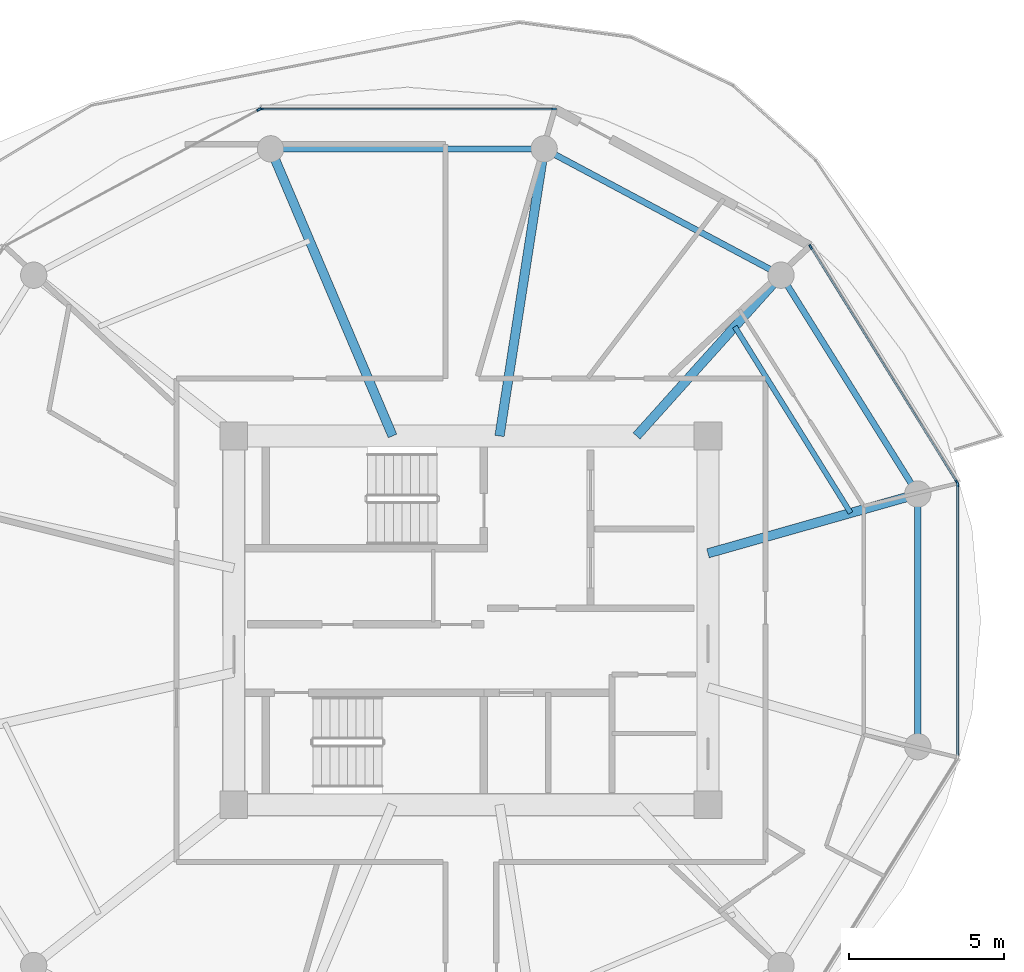
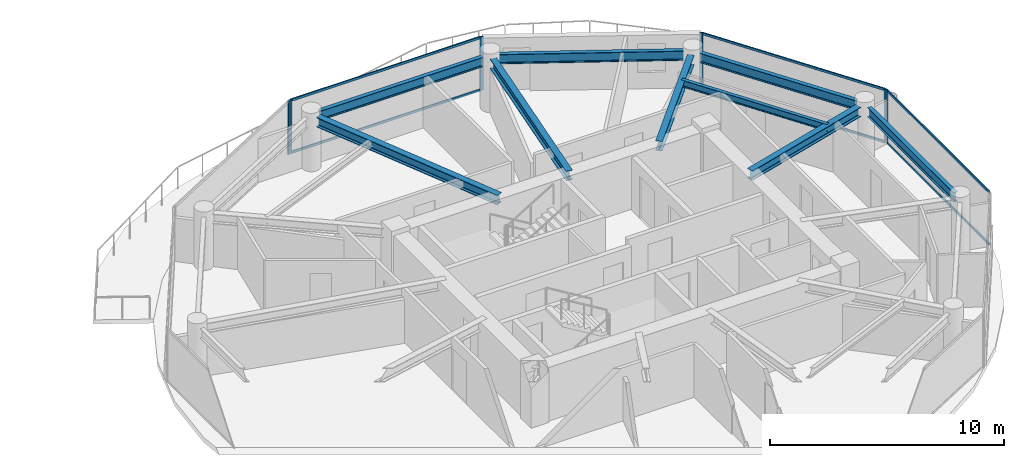
# One storey, part 11 of 24: 12 members, 9 beams, 4 elements without a shape of their own.
"""IFC4 building model written with IfcOpenShell, lengths in metres."""

from ifc_helpers import new_model, si_unit, direction, frame, origin, origin_2d, place, context, subcontext, project, spatial, rectangle, i_section, extrude, source, transform, mapped, material, layer, layer_set, material_profile, profile_set, type_object, type_shapes, element, aggregate, save


model = new_model("IFC4")

# Units and contexts
model_context = context("Model", 3, precision=1e-05, world=origin(), true_north=direction((0.0, 1.0)))
body_context = subcontext(model_context, "Body", "Model", "MODEL_VIEW")
ifc_project = project(units=[si_unit("LENGTHUNIT", "METRE"), si_unit("AREAUNIT", "SQUARE_METRE"), si_unit("VOLUMEUNIT", "CUBIC_METRE"), si_unit("PLANEANGLEUNIT", "RADIAN"), si_unit("MASSUNIT", "GRAM", prefix="KILO")], contexts=[model_context])

# Site, building, storey
site_placement = place(None, origin())
site = spatial("IfcSite", under=ifc_project, at=site_placement, CompositionType="ELEMENT")
building_placement = place(site_placement, origin())
building = spatial("IfcBuilding", under=site, at=building_placement, Name="Norrkilde Senior Care Towers", CompositionType="ELEMENT")
storey_placement = place(building_placement, frame((0.0, 0.0, 111.5)))
storey = spatial("IfcBuildingStorey", under=building, at=storey_placement, Name="L34", CompositionType="ELEMENT", Elevation=111.5)

# Beams
ifc_material_1 = material(Name="Steel S355", Category="steel")
ifc_material_profile_1 = material_profile(ifc_material_1, i_section(OverallWidth=0.199951171875, OverallDepth=0.5, WebThickness=0.01025390625, FlangeThickness=0.01611328125, FilletRadius=0.02099609375, at=origin_2d()), Name="IPE 500")
ifc_profile_set_1 = profile_set([ifc_material_profile_1], Name="Steel S355")
beam_type_1 = type_object("IfcBeamType", Name="Perimeter Ring Spandrel Z2 IPE500", PredefinedType="SPANDREL", material=ifc_profile_set_1)
shared_shape_1 = source(origin(), body_context, "Body", "SweptSolid", [
    extrude(i_section(OverallWidth=0.199951171875, OverallDepth=0.5, WebThickness=0.01025390625, FlangeThickness=0.01611328125, FilletRadius=0.02099609375, at=origin_2d()), origin(), (0.0, 0.0, 1.0), 7.892333984375),
])
beam_1_placement = place(storey_placement, frame((37.66650390625, 11.318115234375, 2.5400390625), z_axis=(-0.882350372282, 0.47059305194, 0.0), x_axis=(-0.47059305194, -0.882350372282, 0.0)))
element("IfcBeam", 1, at=beam_1_placement, inside=storey, type_object=beam_type_1, Name="L34 Drum E Perimeter Spandrel 02", PredefinedType="SPANDREL", context=body_context, shape_type="MappedRepresentation", body=[
    mapped(shared_shape_1, transform((0.0, 0.0, 0.0), x_axis=(1.0, 0.0, 0.0), y_axis=(0.0, 1.0, 0.0), z_axis=(0.0, 0.0, 1.0), scale=1.0)),
])
shared_shape_2 = source(origin(), body_context, "Body", "SweptSolid", [
    extrude(i_section(OverallWidth=0.199951171875, OverallDepth=0.5, WebThickness=0.01025390625, FlangeThickness=0.01611328125, FilletRadius=0.02099609375, at=origin_2d()), origin(), (0.0, 0.0, 1.0), 8.0556640625),
])
beam_2_placement = place(storey_placement, frame((29.977783203125, 15.21337890625, 2.5400390625), z_axis=(-1.0, 0.0, 0.0), x_axis=(0.0, -1.0, 0.0)))
element("IfcBeam", 2, at=beam_2_placement, inside=storey, type_object=beam_type_1, Name="L34 Drum E Perimeter Spandrel 03", PredefinedType="SPANDREL", context=body_context, shape_type="MappedRepresentation", body=[
    mapped(shared_shape_2, transform((0.0, 0.0, 0.0), x_axis=(1.0, 0.0, 0.0), y_axis=(0.0, 1.0, 0.0), z_axis=(0.0, 0.0, 1.0), scale=1.0)),
])
ifc_material_profile_2 = material_profile(ifc_material_1, i_section(OverallWidth=0.300048828125, OverallDepth=0.5, WebThickness=0.014404296875, FlangeThickness=0.028076171875, FilletRadius=0.027099609375, at=origin_2d()), Name="HEB 500")
ifc_profile_set_2 = profile_set([ifc_material_profile_2], Name="Steel S355")
beam_type_2 = type_object("IfcBeamType", Name="Radial Floor Beam Z2 HEB500", PredefinedType="BEAM", material=ifc_profile_set_2)
shared_shape_3 = source(origin(), body_context, "Body", "SweptSolid", [
    extrude(i_section(OverallWidth=0.300048828125, OverallDepth=0.5, WebThickness=0.014404296875, FlangeThickness=0.028076171875, FilletRadius=0.027099609375, at=origin_2d()), origin(), (0.0, 0.0, 1.0), 9.679443359375),
])
beam_3_placement = place(storey_placement, frame((25.472412109375, 5.949951171875, 2.5400390625), z_axis=(-0.390998033479, 0.920391513333, 0.0), x_axis=(-0.920391513333, -0.390998033479, 0.0)))
element("IfcBeam", 3, at=beam_3_placement, inside=storey, type_object=beam_type_2, Name="L34 Drum E Radial Floor Beam 04", PredefinedType="BEAM", context=body_context, shape_type="MappedRepresentation", body=[
    mapped(shared_shape_3, transform((0.0, 0.0, 0.0), x_axis=(1.0, 0.0, 0.0), y_axis=(0.0, 1.0, 0.0), z_axis=(0.0, 0.0, 1.0), scale=1.0)),
])
shared_shape_4 = source(origin(), body_context, "Body", "SweptSolid", [
    extrude(i_section(OverallWidth=0.300048828125, OverallDepth=0.5, WebThickness=0.014404296875, FlangeThickness=0.028076171875, FilletRadius=0.027099609375, at=origin_2d()), origin(), (0.0, 0.0, 1.0), 8.989501953125),
])
beam_4_placement = place(storey_placement, frame((28.924072265625, 5.949951171875, 2.5400390625), z_axis=(0.153471298636, 0.988153105796, 0.0), x_axis=(-0.988153105796, 0.153471298636, 0.0)))
element("IfcBeam", 4, at=beam_4_placement, inside=storey, type_object=beam_type_2, Name="L34 Drum E Radial Floor Beam 03", PredefinedType="BEAM", context=body_context, shape_type="MappedRepresentation", body=[
    mapped(shared_shape_4, transform((0.0, 0.0, 0.0), x_axis=(1.0, 0.0, 0.0), y_axis=(0.0, 1.0, 0.0), z_axis=(0.0, 0.0, 1.0), scale=1.0)),
])
shared_shape_5 = source(origin(), body_context, "Body", "SweptSolid", [
    extrude(i_section(OverallWidth=0.199951171875, OverallDepth=0.5, WebThickness=0.01025390625, FlangeThickness=0.01611328125, FilletRadius=0.02099609375, at=origin_2d()), origin(), (0.0, 0.0, 1.0), 7.556396484375),
])
beam_5_placement = place(storey_placement, frame((42.215087890625, 4.40283203125, 2.5400390625), z_axis=(-0.530004748437, 0.847994673706, 0.0), x_axis=(-0.847994673706, -0.530004748437, 0.0)))
element("IfcBeam", 5, at=beam_5_placement, inside=storey, type_object=beam_type_1, Name="L34 Drum E Perimeter Spandrel 01", PredefinedType="SPANDREL", context=body_context, shape_type="MappedRepresentation", body=[
    mapped(shared_shape_5, transform((0.0, 0.0, 0.0), x_axis=(1.0, 0.0, 0.0), y_axis=(0.0, 1.0, 0.0), z_axis=(0.0, 0.0, 1.0), scale=1.0)),
])
shared_shape_6 = source(origin(), body_context, "Body", "SweptSolid", [
    extrude(i_section(OverallWidth=0.300048828125, OverallDepth=0.5, WebThickness=0.014404296875, FlangeThickness=0.028076171875, FilletRadius=0.027099609375, at=origin_2d()), origin(), (0.0, 0.0, 1.0), 6.587890625),
])
beam_6_placement = place(storey_placement, frame((33.345947265625, 5.949951171875, 2.5400390625), z_axis=(0.668315438605, 0.743877997068, 0.0), x_axis=(-0.743877997068, 0.668315438605, 0.0)))
element("IfcBeam", 6, at=beam_6_placement, inside=storey, type_object=beam_type_2, Name="L34 Drum E Radial Floor Beam 02", PredefinedType="BEAM", context=body_context, shape_type="MappedRepresentation", body=[
    mapped(shared_shape_6, transform((0.0, 0.0, 0.0), x_axis=(1.0, 0.0, 0.0), y_axis=(0.0, 1.0, 0.0), z_axis=(0.0, 0.0, 1.0), scale=1.0)),
])
shared_shape_7 = source(origin(), body_context, "Body", "SweptSolid", [
    extrude(i_section(OverallWidth=0.199951171875, OverallDepth=0.5, WebThickness=0.01025390625, FlangeThickness=0.01611328125, FilletRadius=0.02099609375, at=origin_2d()), origin(), (0.0, 0.0, 1.0), 7.3828125),
])
type_shapes(beam_type_1, [shared_shape_1, shared_shape_2, shared_shape_5, shared_shape_7])
beam_7_placement = place(storey_placement, frame((42.4189453125, -3.69140625, 2.5400390625), z_axis=(0.0, 1.0, 0.0), x_axis=(-1.0, 0.0, 0.0)))
element("IfcBeam", 7, at=beam_7_placement, inside=storey, type_object=beam_type_1, Name="L34 Drum E Perimeter Spandrel 12", PredefinedType="SPANDREL", context=body_context, shape_type="MappedRepresentation", body=[
    mapped(shared_shape_7, transform((0.0, 0.0, 0.0), x_axis=(1.0, 0.0, 0.0), y_axis=(0.0, 1.0, 0.0), z_axis=(0.0, 0.0, 1.0), scale=1.0)),
])
shared_shape_8 = source(origin(), body_context, "Body", "SweptSolid", [
    extrude(i_section(OverallWidth=0.300048828125, OverallDepth=0.5, WebThickness=0.014404296875, FlangeThickness=0.028076171875, FilletRadius=0.027099609375, at=origin_2d()), origin(), (0.0, 0.0, 1.0), 6.6494140625),
])
type_shapes(beam_type_2, [shared_shape_3, shared_shape_4, shared_shape_6, shared_shape_8])
beam_8_placement = place(storey_placement, frame((35.64990234375, 2.162841796875, 2.5400390625), z_axis=(0.962289138357, 0.27202870106, 0.0), x_axis=(-0.27202870106, 0.962289138357, 0.0)))
element("IfcBeam", 8, at=beam_8_placement, inside=storey, type_object=beam_type_2, Name="L34 Drum E Radial Floor Beam 01", PredefinedType="BEAM", context=body_context, shape_type="MappedRepresentation", body=[
    mapped(shared_shape_8, transform((0.0, 0.0, 0.0), x_axis=(1.0, 0.0, 0.0), y_axis=(0.0, 1.0, 0.0), z_axis=(0.0, 0.0, 1.0), scale=1.0)),
])
ifc_material_profile_3 = material_profile(ifc_material_1, i_section(OverallWidth=0.169921875, OverallDepth=0.360107421875, WebThickness=0.008056640625, FlangeThickness=0.0126953125, FilletRadius=0.01806640625, at=origin_2d()), Name="IPE 360")
ifc_profile_set_3 = profile_set([ifc_material_profile_3], Name="Steel S355")
beam_type_3 = type_object("IfcBeamType", Name="Secondary Floor Joist IPE360", PredefinedType="JOIST", material=ifc_profile_set_3)
shared_shape_9 = source(origin(), body_context, "Body", "SweptSolid", [
    extrude(i_section(OverallWidth=0.169921875, OverallDepth=0.360107421875, WebThickness=0.008056640625, FlangeThickness=0.0126953125, FilletRadius=0.01806640625, at=origin_2d()), origin(), (0.0, 0.0, 1.0), 7.080078125),
])
type_shapes(beam_type_3, [shared_shape_9])
beam_9_placement = place(storey_placement, frame((40.2529296875, 3.464111328125, 2.610107421875), z_axis=(-0.527961009189, 0.849268610497, 0.0), x_axis=(-0.849268610497, -0.527961009189, 0.0)))
element("IfcBeam", 9, at=beam_9_placement, inside=storey, type_object=beam_type_3, Name="L34 Drum E Secondary Floor Joist 1", PredefinedType="JOIST", context=body_context, shape_type="MappedRepresentation", body=[
    mapped(shared_shape_9, transform((0.0, 0.0, 0.0), x_axis=(1.0, 0.0, 0.0), y_axis=(0.0, 1.0, 0.0), z_axis=(0.0, 0.0, 1.0), scale=1.0)),
])

# Curtain wall, members
ifc_material_2 = material(Name="Triple Low-E Insulated Glazing", Category="glass")
ifc_layer = layer(ifc_material_2, 0.195068359375)
ifc_layer_set = layer_set([ifc_layer], Name="Triple Low-E Insulated Glazing")
curtain_wall_type = type_object("IfcCurtainWallType", Name="CW3 Zone 2 Assisted Living Curtain Wall", PredefinedType="NOTDEFINED", material=ifc_layer_set)
curtain_wall_1_placement = place(storey_placement, origin())
curtain_wall_1 = element("IfcCurtainWall", 10, at=curtain_wall_1_placement, inside=storey, type_object=curtain_wall_type, Name="L34 Drum E Curtain Wall 00", PredefinedType="NOTDEFINED")
ifc_material_3 = material(Name="Anodised Aluminium", Category="aluminium")
ifc_material_profile_4 = material_profile(ifc_material_3, rectangle(XDim=0.06494140625, YDim=0.159912109375, at=origin_2d()), Name="ALU MULL 65x160")
ifc_profile_set_4 = profile_set([ifc_material_profile_4], Name="Anodised Aluminium")
member_type_1 = type_object("IfcMemberType", Name="Curtain Wall Mullion Z1-Z2 65x160", PredefinedType="MULLION", material=ifc_profile_set_4)
shared_shape_10 = source(origin(), body_context, "Body", "SweptSolid", [
    extrude(rectangle(XDim=0.06494140625, YDim=0.159912109375, at=origin_2d()), origin(), (0.0, 0.0, 1.0), 2.7900390625),
])
type_shapes(member_type_1, [shared_shape_10])
member_1_placement = place(storey_placement, frame((38.9638671875, 12.0498046875, 0.0), z_axis=(0.0, 0.0, 1.0), x_axis=(0.849410171862, 0.527733228002, 0.0)))
member_1 = element("IfcMember", 11, at=member_1_placement, type_object=member_type_1, Name="CW-3 mullion 1", PredefinedType="MULLION", context=body_context, shape_type="MappedRepresentation", body=[
    mapped(shared_shape_10, transform((0.0, 0.0, 0.0), x_axis=(1.0, 0.0, 0.0), y_axis=(0.0, 1.0, 0.0), z_axis=(0.0, 0.0, 1.0), scale=1.0)),
])
member_2_placement = place(storey_placement, frame((43.6865234375, 4.4482421875, 0.0), z_axis=(0.0, 0.0, 1.0), x_axis=(0.849410171862, 0.527733228002, 0.0)))
member_2 = element("IfcMember", 12, at=member_2_placement, type_object=member_type_1, Name="CW-3 mullion 2", PredefinedType="MULLION", context=body_context, shape_type="MappedRepresentation", body=[
    mapped(shared_shape_10, transform((0.0, 0.0, 0.0), x_axis=(1.0, 0.0, 0.0), y_axis=(0.0, 1.0, 0.0), z_axis=(0.0, 0.0, 1.0), scale=1.0)),
])

curtain_wall_2_placement = place(storey_placement, origin())
curtain_wall_2 = element("IfcCurtainWall", 13, at=curtain_wall_2_placement, inside=storey, type_object=curtain_wall_type, Name="L34 Drum E Curtain Wall 02", PredefinedType="NOTDEFINED")
member_3_placement = place(storey_placement, frame((21.225341796875, 16.498046875, 0.0), z_axis=(0.0, 0.0, 1.0), x_axis=(0.0, 1.0, 0.0)))
member_3 = element("IfcMember", 14, at=member_3_placement, type_object=member_type_1, Name="CW-3 mullion 1", PredefinedType="MULLION", context=body_context, shape_type="MappedRepresentation", body=[
    mapped(shared_shape_10, transform((0.0, 0.0, 0.0), x_axis=(1.0, 0.0, 0.0), y_axis=(0.0, 1.0, 0.0), z_axis=(0.0, 0.0, 1.0), scale=1.0)),
])
member_4_placement = place(storey_placement, frame((30.674560546875, 16.498046875, 0.0), z_axis=(0.0, 0.0, 1.0), x_axis=(0.0, 1.0, 0.0)))
member_4 = element("IfcMember", 15, at=member_4_placement, type_object=member_type_1, Name="CW-3 mullion 2", PredefinedType="MULLION", context=body_context, shape_type="MappedRepresentation", body=[
    mapped(shared_shape_10, transform((0.0, 0.0, 0.0), x_axis=(1.0, 0.0, 0.0), y_axis=(0.0, 1.0, 0.0), z_axis=(0.0, 0.0, 1.0), scale=1.0)),
])

# Curtain wall, member
curtain_wall_3_placement = place(storey_placement, origin())
curtain_wall_3 = element("IfcCurtainWall", 16, at=curtain_wall_3_placement, inside=storey, type_object=curtain_wall_type, Name="L34 Drum E Curtain Wall 03", PredefinedType="NOTDEFINED")
member_5_placement = place(storey_placement, frame((21.164306640625, 16.482666015625, 0.0), z_axis=(0.0, 0.0, 1.0), x_axis=(-0.472769402511, 0.881186184668, 0.0)))
member_5 = element("IfcMember", 17, at=member_5_placement, type_object=member_type_1, Name="CW-3 mullion 2", PredefinedType="MULLION", context=body_context, shape_type="MappedRepresentation", body=[
    mapped(shared_shape_10, transform((0.0, 0.0, 0.0), x_axis=(1.0, 0.0, 0.0), y_axis=(0.0, 1.0, 0.0), z_axis=(0.0, 0.0, 1.0), scale=1.0)),
])
aggregate(curtain_wall_3, [member_5])

curtain_wall_4_placement = place(storey_placement, origin())
curtain_wall_4 = element("IfcCurtainWall", 18, at=curtain_wall_4_placement, inside=storey, type_object=curtain_wall_type, Name="L34 Drum E Curtain Wall 11", PredefinedType="NOTDEFINED")
member_6_placement = place(storey_placement, frame((43.70361328125, 4.38818359375, 0.0), z_axis=(0.0, 0.0, 1.0), x_axis=(1.0, 0.0, 0.0)))
member_6 = element("IfcMember", 19, at=member_6_placement, type_object=member_type_1, Name="CW-3 mullion 1", PredefinedType="MULLION", context=body_context, shape_type="MappedRepresentation", body=[
    mapped(shared_shape_10, transform((0.0, 0.0, 0.0), x_axis=(1.0, 0.0, 0.0), y_axis=(0.0, 1.0, 0.0), z_axis=(0.0, 0.0, 1.0), scale=1.0)),
])

# Member
ifc_material_profile_5 = material_profile(ifc_material_3, rectangle(XDim=0.06005859375, YDim=0.1201171875, at=origin_2d()), Name="ALU TRAN 60x120")
ifc_profile_set_5 = profile_set([ifc_material_profile_5], Name="Anodised Aluminium")
member_type_2 = type_object("IfcMemberType", Name="Curtain Wall Transom Typical 60x120", PredefinedType="USERDEFINED", material=ifc_profile_set_5)
shared_shape_11 = source(origin(), body_context, "Body", "SweptSolid", [
    extrude(rectangle(XDim=0.06005859375, YDim=0.1201171875, at=origin_2d()), origin(), (0.0, 0.0, 1.0), 8.88427734375),
])
member_7_placement = place(storey_placement, frame((38.98095703125, 12.022216796875, 0.030029296875), z_axis=(0.527729466743, -0.849412508697, 0.0), x_axis=(0.849412508697, 0.527729466743, 0.0)))
member_7 = element("IfcMember", 20, at=member_7_placement, type_object=member_type_2, Name="CW-3 transom 1.1", ObjectType="TRANSOM", PredefinedType="USERDEFINED", context=body_context, shape_type="MappedRepresentation", body=[
    mapped(shared_shape_11, transform((0.0, 0.0, 0.0), x_axis=(1.0, 0.0, 0.0), y_axis=(0.0, 1.0, 0.0), z_axis=(0.0, 0.0, 1.0), scale=1.0)),
])

member_8_placement = place(storey_placement, frame((38.98095703125, 12.022216796875, 2.760009765625), z_axis=(0.527729466743, -0.849412508697, 0.0), x_axis=(0.849412508697, 0.527729466743, 0.0)))
member_8 = element("IfcMember", 21, at=member_8_placement, type_object=member_type_2, Name="CW-3 transom 1.2", ObjectType="TRANSOM", PredefinedType="USERDEFINED", context=body_context, shape_type="MappedRepresentation", body=[
    mapped(shared_shape_11, transform((0.0, 0.0, 0.0), x_axis=(1.0, 0.0, 0.0), y_axis=(0.0, 1.0, 0.0), z_axis=(0.0, 0.0, 1.0), scale=1.0)),
])

aggregate(curtain_wall_1, [member_1, member_2, member_7, member_8])

shared_shape_12 = source(origin(), body_context, "Body", "SweptSolid", [
    extrude(rectangle(XDim=0.06005859375, YDim=0.1201171875, at=origin_2d()), origin(), (0.0, 0.0, 1.0), 9.38427734375),
])
member_9_placement = place(storey_placement, frame((21.2578125, 16.498046875, 0.030029296875), z_axis=(1.0, 0.0, 0.0), x_axis=(0.0, 1.0, 0.0)))
member_9 = element("IfcMember", 22, at=member_9_placement, type_object=member_type_2, Name="CW-3 transom 1.1", ObjectType="TRANSOM", PredefinedType="USERDEFINED", context=body_context, shape_type="MappedRepresentation", body=[
    mapped(shared_shape_12, transform((0.0, 0.0, 0.0), x_axis=(1.0, 0.0, 0.0), y_axis=(0.0, 1.0, 0.0), z_axis=(0.0, 0.0, 1.0), scale=1.0)),
])

member_10_placement = place(storey_placement, frame((21.2578125, 16.498046875, 2.760009765625), z_axis=(1.0, 0.0, 0.0), x_axis=(0.0, 1.0, 0.0)))
member_10 = element("IfcMember", 23, at=member_10_placement, type_object=member_type_2, Name="CW-3 transom 1.2", ObjectType="TRANSOM", PredefinedType="USERDEFINED", context=body_context, shape_type="MappedRepresentation", body=[
    mapped(shared_shape_12, transform((0.0, 0.0, 0.0), x_axis=(1.0, 0.0, 0.0), y_axis=(0.0, 1.0, 0.0), z_axis=(0.0, 0.0, 1.0), scale=1.0)),
])

aggregate(curtain_wall_2, [member_3, member_4, member_9, member_10])

shared_shape_13 = source(origin(), body_context, "Body", "SweptSolid", [
    extrude(rectangle(XDim=0.06005859375, YDim=0.1201171875, at=origin_2d()), origin(), (0.0, 0.0, 1.0), 8.71142578125),
])
type_shapes(member_type_2, [shared_shape_11, shared_shape_12, shared_shape_13])
member_11_placement = place(storey_placement, frame((43.70361328125, 4.355712890625, 0.030029296875), z_axis=(0.0, -1.0, 0.0), x_axis=(1.0, 0.0, 0.0)))
member_11 = element("IfcMember", 24, at=member_11_placement, type_object=member_type_2, Name="CW-3 transom 1.1", ObjectType="TRANSOM", PredefinedType="USERDEFINED", context=body_context, shape_type="MappedRepresentation", body=[
    mapped(shared_shape_13, transform((0.0, 0.0, 0.0), x_axis=(1.0, 0.0, 0.0), y_axis=(0.0, 1.0, 0.0), z_axis=(0.0, 0.0, 1.0), scale=1.0)),
])

member_12_placement = place(storey_placement, frame((43.70361328125, 4.355712890625, 2.760009765625), z_axis=(0.0, -1.0, 0.0), x_axis=(1.0, 0.0, 0.0)))
member_12 = element("IfcMember", 25, at=member_12_placement, type_object=member_type_2, Name="CW-3 transom 1.2", ObjectType="TRANSOM", PredefinedType="USERDEFINED", context=body_context, shape_type="MappedRepresentation", body=[
    mapped(shared_shape_13, transform((0.0, 0.0, 0.0), x_axis=(1.0, 0.0, 0.0), y_axis=(0.0, 1.0, 0.0), z_axis=(0.0, 0.0, 1.0), scale=1.0)),
])

aggregate(curtain_wall_4, [member_6, member_11, member_12])

save(model, "model.ifc")
